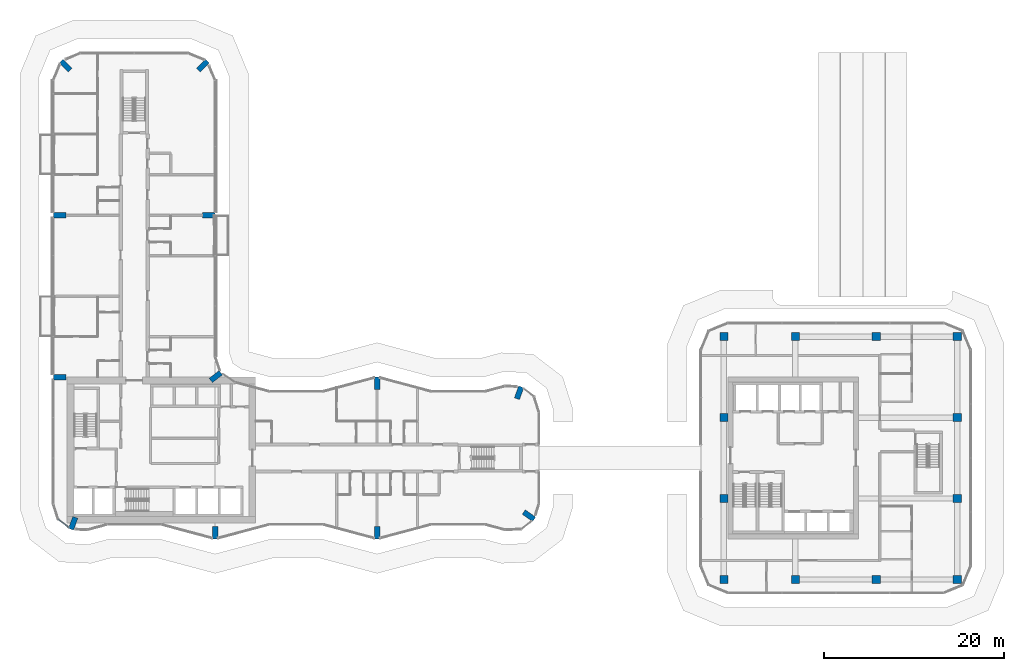
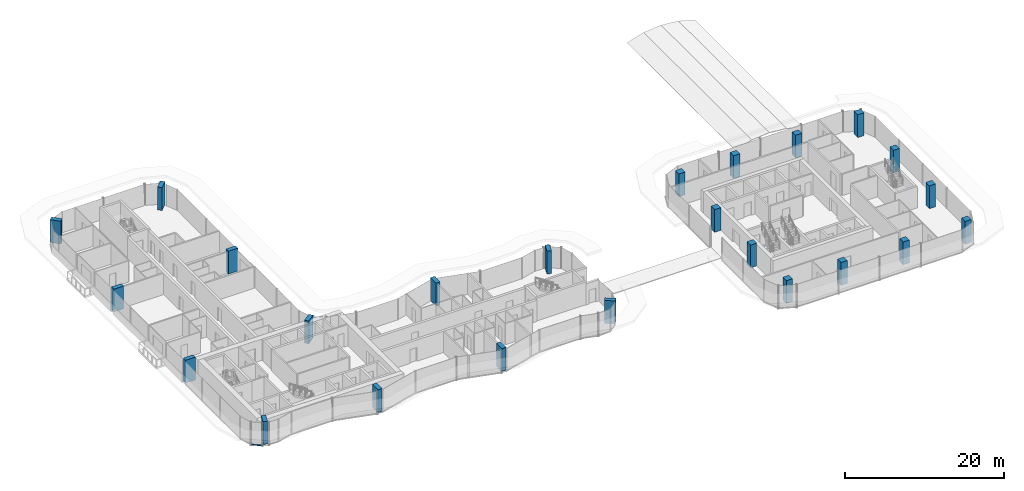
# One storey, part 1 of 24: 24 columns, 1 member, 1 element without a shape of its own.
"""IFC4 building model written with IfcOpenShell, lengths in metres."""

from ifc_helpers import new_model, si_unit, direction, frame, origin, origin_2d, place, context, subcontext, project, spatial, rectangle, extrude, material, layer, layer_set, material_profile, profile_set, type_object, element, aggregate, save


model = new_model("IFC4")

# Units and contexts
model_context = context("Model", 3, precision=1e-05, world=origin(), true_north=direction((0.0, 1.0)))
body_context = subcontext(model_context, "Body", "Model", "MODEL_VIEW")
ifc_project = project(units=[si_unit("LENGTHUNIT", "METRE"), si_unit("AREAUNIT", "SQUARE_METRE"), si_unit("VOLUMEUNIT", "CUBIC_METRE"), si_unit("PLANEANGLEUNIT", "RADIAN"), si_unit("MASSUNIT", "GRAM", prefix="KILO")], contexts=[model_context])

# Site, building, storey
site_placement = place(None, origin())
site = spatial("IfcSite", under=ifc_project, at=site_placement, CompositionType="ELEMENT")
building_placement = place(site_placement, origin())
building = spatial("IfcBuilding", under=site, at=building_placement, Name="Plateau Cross Towers", CompositionType="ELEMENT")
storey_placement = place(building_placement, frame((0.0, 0.0, 30.300048828125)))
storey = spatial("IfcBuildingStorey", under=building, at=storey_placement, Name="L06", CompositionType="ELEMENT", Elevation=30.300048828125)

# Columns
ifc_material_1 = material(Name="Concrete C60/75", Category="concrete")
ifc_material_profile_1 = material_profile(ifc_material_1, rectangle(XDim=0.60009765625, YDim=1.39990234375, at=origin_2d()), Name="RC 600x1400")
ifc_profile_set_1 = profile_set([ifc_material_profile_1], Name="Concrete C60/75")
column_type_1 = type_object("IfcColumnType", Name="Fin pier column RC 600x1400", PredefinedType="COLUMN", material=ifc_profile_set_1)
for number, where, z_axis, x_axis, name in (
    (1, (18.0, 0.699951171875, 0.0), (0.0, 0.0, 1.0), (1.0, 0.0, 0.0), "PR1 L06"),
    (2, (36.0, 0.699951171875, 0.0), (0.0, 0.0, 1.0), (1.0, 0.0, 0.0), "PR2 L06"),
    (3, (52.884033203125, 2.590087890625, 0.0), (0.0, 0.0, 1.0), (0.573542637991, 0.819175709117, 0.0), "PR3 L06"),
    (4, (51.786865234375, 16.251953125, 0.0), (0.0, 0.0, 1.0), (-0.939664280925, 0.342097996418, 0.0), "PR4 L06"),
    (5, (36.0, 17.300048828125, 0.0), (0.0, 0.0, 1.0), (1.0, 0.0, 0.0), "PR5 L06"),
    (6, (18.064697265625, 18.049560546875, 0.0), (0.0, 0.0, 1.0), (-0.608810846443, 0.793315418515, 0.0), "PR6 L06"),
    (7, (17.300048828125, 36.0, 0.0), (0.0, 0.0, 1.0), (0.0, 1.0, 0.0), "PR7 L06"),
    (8, (16.62646484375, 52.62646484375, 0.0), (0.0, 0.0, 1.0), (-0.707106781187, 0.707106781187, 0.0), "PR8 L06"),
    (9, (1.37353515625, 52.62646484375, 0.0), (0.0, 0.0, 1.0), (0.707106781187, 0.707106781187, 0.0), "PR9 L06"),
    (10, (0.699951171875, 36.0, 0.0), (0.0, 0.0, 1.0), (0.0, 1.0, 0.0), "PR10 L06"),
    (11, (0.699951171875, 18.0, 0.0), (0.0, 0.0, 1.0), (0.0, 1.0, 0.0), "PR11 L06"),
    (12, (2.213134765625, 1.748046875, 0.0), (0.0, 0.0, 1.0), (-0.939664280925, 0.342097996418, 0.0), "PR12 L06"),
):
    element("IfcColumn", number, at=place(storey_placement, frame(where, z_axis=z_axis, x_axis=x_axis)), inside=storey, type_object=column_type_1, Name=name, PredefinedType="COLUMN", context=body_context, shape_type="SweptSolid", body=[
        extrude(rectangle(XDim=0.60009765625, YDim=1.39990234375, at=origin_2d()), origin(), (0.0, 0.0, 1.0), 3.5),
    ])
ifc_material_profile_2 = material_profile(ifc_material_1, rectangle(XDim=0.89990234375, YDim=0.89990234375, at=origin_2d()), Name="RC 900x900")
ifc_profile_set_2 = profile_set([ifc_material_profile_2], Name="Concrete C60/75")
column_type_2 = type_object("IfcColumnType", Name="Office column RC 900x900", PredefinedType="COLUMN", material=ifc_profile_set_2)
for number, where, z_axis, x_axis, name in (
    (13, (74.550048828125, -4.5, 0.0), (0.0, 0.0, 1.0), (1.0, 0.0, 0.0), "B-C746_-45 L06"),
    (14, (82.5, -4.5, 0.0), (0.0, 0.0, 1.0), (1.0, 0.0, 0.0), "B-C825_-45 L06"),
    (15, (91.5, -4.5, 0.0), (0.0, 0.0, 1.0), (1.0, 0.0, 0.0), "B-C915_-45 L06"),
    (16, (100.5, -4.5, 0.0), (0.0, 0.0, 1.0), (1.0, 0.0, 0.0), "B-C1005_-45 L06"),
    (17, (100.5, 4.5, 0.0), (0.0, 0.0, 1.0), (1.0, 0.0, 0.0), "B-C1005_45 L06"),
    (18, (100.5, 13.5, 0.0), (0.0, 0.0, 1.0), (1.0, 0.0, 0.0), "B-C1005_135 L06"),
    (19, (100.5, 22.5, 0.0), (0.0, 0.0, 1.0), (1.0, 0.0, 0.0), "B-C1005_225 L06"),
    (20, (91.5, 22.5, 0.0), (0.0, 0.0, 1.0), (1.0, 0.0, 0.0), "B-C915_225 L06"),
    (21, (82.5, 22.5, 0.0), (0.0, 0.0, 1.0), (1.0, 0.0, 0.0), "B-C825_225 L06"),
    (22, (74.550048828125, 22.5, 0.0), (0.0, 0.0, 1.0), (1.0, 0.0, 0.0), "B-C746_225 L06"),
    (23, (74.550048828125, 13.5, 0.0), (0.0, 0.0, 1.0), (1.0, 0.0, 0.0), "B-C746_135 L06"),
    (24, (74.550048828125, 4.5, 0.0), (0.0, 0.0, 1.0), (1.0, 0.0, 0.0), "B-C746_45 L06"),
):
    element("IfcColumn", number, at=place(storey_placement, frame(where, z_axis=z_axis, x_axis=x_axis)), inside=storey, type_object=column_type_2, Name=name, PredefinedType="COLUMN", context=body_context, shape_type="SweptSolid", body=[
        extrude(rectangle(XDim=0.89990234375, YDim=0.89990234375, at=origin_2d()), origin(), (0.0, 0.0, 1.0), 3.5),
    ])

# Curtain wall, member
ifc_material_2 = material(Name="Dark low-iron glass", Category="glass")
ifc_layer = layer(ifc_material_2, 0.239990234375)
ifc_layer_set = layer_set([ifc_layer], Name="Dark low-iron glass")
curtain_wall_type = type_object("IfcCurtainWallType", Name="Curtain wall flush unitised CW-B", PredefinedType="NOTDEFINED", material=ifc_layer_set)
curtain_wall_placement = place(storey_placement, origin())
curtain_wall = element("IfcCurtainWall", 25, at=curtain_wall_placement, inside=storey, type_object=curtain_wall_type, Name="ENV/A/L06/A5_22", PredefinedType="NOTDEFINED")
ifc_material_3 = material(Name="Black anodised aluminium", Category="aluminium")
ifc_material_profile_3 = material_profile(ifc_material_3, rectangle(XDim=0.10009765625, YDim=0.1201171875, at=origin_2d()), Name="TRANSOM 100x120")
ifc_profile_set_3 = profile_set([ifc_material_profile_3], Name="Black anodised aluminium")
member_type = type_object("IfcMemberType", Name="Transom 100x120 flush unitised", PredefinedType="USERDEFINED", material=ifc_profile_set_3)
member_placement = place(storey_placement, frame((0.54248046875, 2.1884765625, -0.18994140625), z_axis=(0.793320508571, -0.608804213751, 0.0), x_axis=(0.608804213751, 0.793320508571, 0.0)))
member = element("IfcMember", 26, at=member_placement, type_object=member_type, Name="CW-B transom", ObjectType="TRANSOM", PredefinedType="USERDEFINED", context=body_context, shape_type="SweptSolid", body=[
    extrude(rectangle(XDim=0.10009765625, YDim=0.1201171875, at=origin_2d()), origin(), (0.0, 0.0, 1.0), 1.471435546875),
])
aggregate(curtain_wall, [member])

save(model, "model.ifc")
